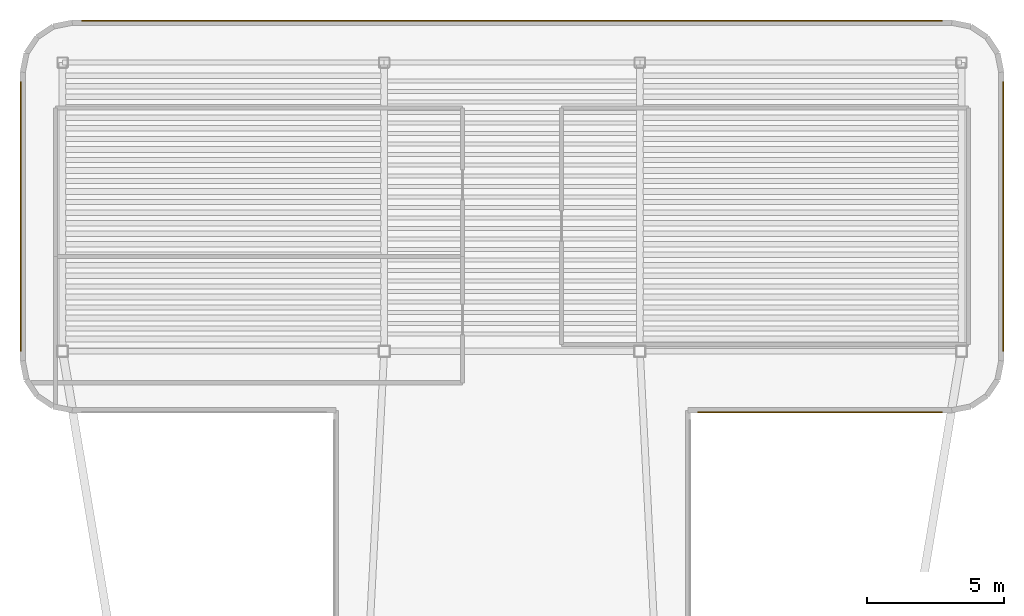
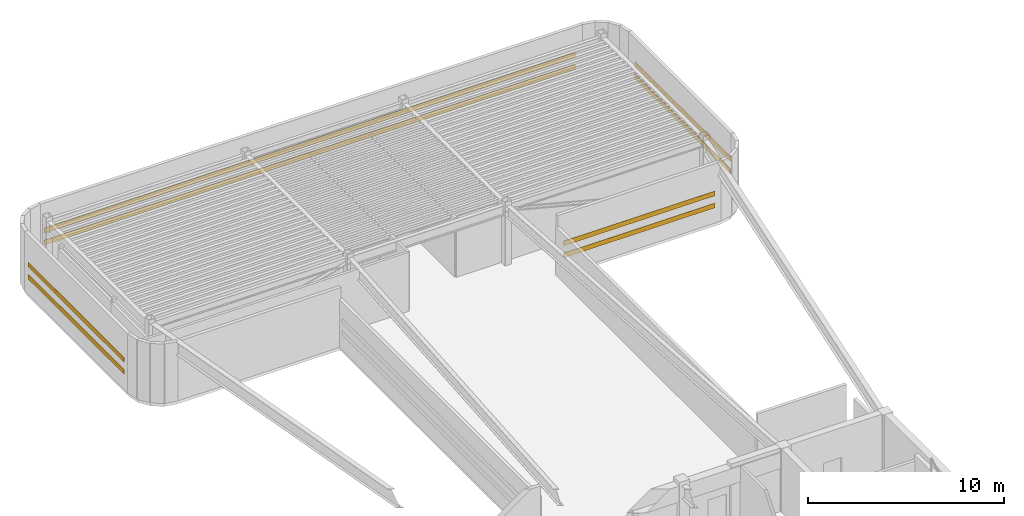
# One storey, part 6 of 6: 8 shading devices.
"""IFC4 building model written with IfcOpenShell, lengths in metres."""

from ifc_helpers import new_model, si_unit, direction, frame, origin, origin_2d, place, context, subcontext, project, spatial, rectangle, extrude, source, transform, mapped, material, material_profile, profile_set, type_object, element, save


model = new_model("IFC4")

# Units and contexts
model_context = context("Model", 3, precision=1e-05, world=origin(), true_north=direction((0.0, 1.0)))
body_context = subcontext(model_context, "Body", "Model", "MODEL_VIEW")
ifc_project = project(units=[si_unit("LENGTHUNIT", "METRE"), si_unit("AREAUNIT", "SQUARE_METRE"), si_unit("VOLUMEUNIT", "CUBIC_METRE"), si_unit("PLANEANGLEUNIT", "RADIAN"), si_unit("MASSUNIT", "GRAM", prefix="KILO")], contexts=[model_context])

# Site, building, storey
site_placement = place(None, origin())
site = spatial("IfcSite", under=ifc_project, at=site_placement, CompositionType="ELEMENT")
building_placement = place(site_placement, origin())
building = spatial("IfcBuilding", under=site, at=building_placement, Name="Brelvock Crest Care Tower", CompositionType="ELEMENT")
storey_placement = place(building_placement, frame((0.0, 0.0, 311.760009765625)))
storey = spatial("IfcBuildingStorey", under=building, at=storey_placement, Name="L79", CompositionType="ELEMENT", Elevation=311.760009765625)

# Shading devices
ifc_material = material(Name="Aluminium 6063-T6", Category="aluminium")
ifc_material_profile_1 = material_profile(ifc_material, rectangle(XDim=0.044921875, YDim=0.300048828125, at=origin_2d()), Name="LOUVRE45x300")
ifc_profile_set_1 = profile_set([ifc_material_profile_1], Name="Aluminium 6063-T6")
shading_device_type_1 = type_object("IfcShadingDeviceType", Name="SHD-LV1", PredefinedType="JALOUSIE", material=ifc_profile_set_1)
shared_shape_1 = source(origin(), body_context, "Body", "SweptSolid", [
    extrude(rectangle(XDim=0.044921875, YDim=0.300048828125, at=origin_2d()), origin(), (0.0, 0.0, 1.0), 9.800048828125),
])
for number, where, z_axis, x_axis, name in (
    (1, (18.125, 43.949951171875, 1.10009765625), (0.0, 1.0, 0.0), (-1.0, 0.0, 0.0), "L79 Crown Acoustic Louvre 18-1"),
    (2, (18.125, 43.949951171875, 1.85009765625), (0.0, 1.0, 0.0), (-1.0, 0.0, 0.0), "L79 Crown Acoustic Louvre 18-2"),
    (3, (53.875, 53.75, 1.10009765625), (0.0, -1.0, 0.0), (1.0, 0.0, 0.0), "L79 Crown Acoustic Louvre 28-1"),
    (4, (53.875, 53.75, 1.85009765625), (0.0, -1.0, 0.0), (1.0, 0.0, 0.0), "L79 Crown Acoustic Louvre 28-2"),
):
    element("IfcShadingDevice", number, at=place(storey_placement, frame(where, z_axis=z_axis, x_axis=x_axis)), inside=storey, type_object=shading_device_type_1, Name=name, PredefinedType="JALOUSIE", context=body_context, shape_type="MappedRepresentation", body=[
        mapped(shared_shape_1, transform((0.0, 0.0, 0.0), x_axis=(1.0, 0.0, 0.0), y_axis=(0.0, 1.0, 0.0), z_axis=(0.0, 0.0, 1.0), scale=1.0)),
    ])
ifc_material_profile_2 = material_profile(ifc_material, rectangle(XDim=0.044921875, YDim=0.300048828125, at=origin_2d()), Name="LOUVRE45x300")
ifc_profile_set_2 = profile_set([ifc_material_profile_2], Name="Aluminium 6063-T6")
shading_device_type_2 = type_object("IfcShadingDeviceType", Name="SHD-SH1", PredefinedType="SHUTTER", material=ifc_profile_set_2)
shared_shape_2 = source(origin(), body_context, "Body", "SweptSolid", [
    extrude(rectangle(XDim=0.044921875, YDim=0.300048828125, at=origin_2d()), origin(), (0.0, 0.0, 1.0), 8.89990234375),
])
for number, where, z_axis, x_axis, name in (
    (5, (51.64990234375, 41.72509765625, 1.10009765625), (-1.0, 0.0, 0.0), (0.0, -1.0, 0.0), "L79 Crown Acoustic Louvre 33-1"),
    (6, (51.64990234375, 41.72509765625, 1.85009765625), (-1.0, 0.0, 0.0), (0.0, -1.0, 0.0), "L79 Crown Acoustic Louvre 33-2"),
):
    element("IfcShadingDevice", number, at=place(storey_placement, frame(where, z_axis=z_axis, x_axis=x_axis)), inside=storey, type_object=shading_device_type_2, Name=name, PredefinedType="SHUTTER", context=body_context, shape_type="MappedRepresentation", body=[
        mapped(shared_shape_2, transform((0.0, 0.0, 0.0), x_axis=(1.0, 0.0, 0.0), y_axis=(0.0, 1.0, 0.0), z_axis=(0.0, 0.0, 1.0), scale=1.0)),
    ])
shared_shape_3 = source(origin(), body_context, "Body", "SweptSolid", [
    extrude(rectangle(XDim=0.044921875, YDim=0.300048828125, at=origin_2d()), origin(), (0.0, 0.0, 1.0), 31.2998046875),
])
for number, where, z_axis, x_axis, name in (
    (7, (20.35009765625, 55.97509765625, 1.10009765625), (1.0, 0.0, 0.0), (0.0, 1.0, 0.0), "L79 Crown Acoustic Louvre 23-1"),
    (8, (20.35009765625, 55.97509765625, 1.85009765625), (1.0, 0.0, 0.0), (0.0, 1.0, 0.0), "L79 Crown Acoustic Louvre 23-2"),
):
    element("IfcShadingDevice", number, at=place(storey_placement, frame(where, z_axis=z_axis, x_axis=x_axis)), inside=storey, type_object=shading_device_type_2, Name=name, PredefinedType="SHUTTER", context=body_context, shape_type="MappedRepresentation", body=[
        mapped(shared_shape_3, transform((0.0, 0.0, 0.0), x_axis=(1.0, 0.0, 0.0), y_axis=(0.0, 1.0, 0.0), z_axis=(0.0, 0.0, 1.0), scale=1.0)),
    ])

save(model, "model.ifc")
